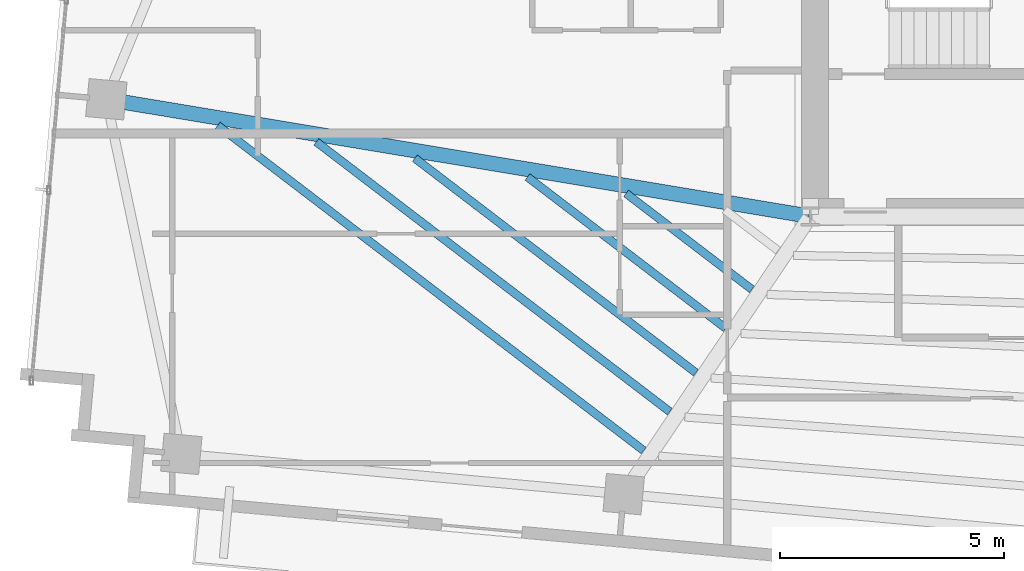
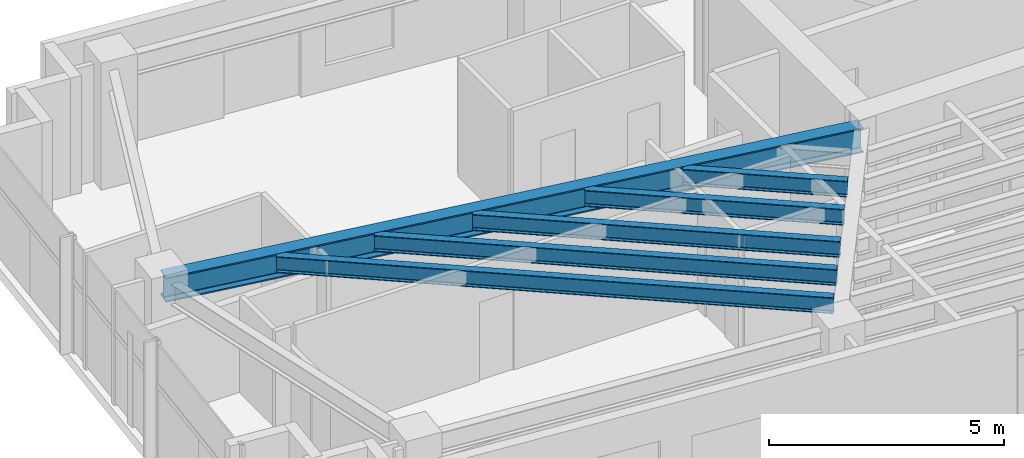
# One storey, part 5 of 22: 6 beams.
"""IFC4 building model written with IfcOpenShell, lengths in metres."""

from ifc_helpers import new_model, si_unit, direction, frame, origin, origin_2d, place, context, subcontext, project, spatial, i_section, extrude, source, transform, mapped, material, material_profile, profile_set, type_object, type_shapes, element, save


model = new_model("IFC4")

# Units and contexts
model_context = context("Model", 3, precision=1e-05, world=origin(), true_north=direction((0.0, 1.0)))
body_context = subcontext(model_context, "Body", "Model", "MODEL_VIEW")
ifc_project = project(units=[si_unit("LENGTHUNIT", "METRE"), si_unit("AREAUNIT", "SQUARE_METRE"), si_unit("VOLUMEUNIT", "CUBIC_METRE"), si_unit("PLANEANGLEUNIT", "RADIAN"), si_unit("MASSUNIT", "GRAM", prefix="KILO")], contexts=[model_context])

# Site, building, storey
site_placement = place(None, origin())
site = spatial("IfcSite", under=ifc_project, at=site_placement, CompositionType="ELEMENT")
building_placement = place(site_placement, origin())
building = spatial("IfcBuilding", under=site, at=building_placement, Name="Astriad Promenade Condominiums", CompositionType="ELEMENT")
storey_placement = place(building_placement, frame((0.0, 0.0, 252.89990234375)))
storey = spatial("IfcBuildingStorey", under=building, at=storey_placement, Name="L73", CompositionType="ELEMENT", Elevation=252.89990234375)

# Beams
ifc_material = material(Name="Steel ASTM A992 Grade 50", Category="steel")
ifc_material_profile_1 = material_profile(ifc_material, i_section(OverallWidth=0.327392578125, OverallDepth=0.640625, WebThickness=0.01904296875, FlangeThickness=0.033935546875, FilletRadius=0.017822265625, at=origin_2d()), Name="W24X176")
ifc_profile_set_1 = profile_set([ifc_material_profile_1], Name="Steel ASTM A992 Grade 50")
beam_type_1 = type_object("IfcBeamType", Name="STEEL FLOOR GIRDER W24X176", PredefinedType="BEAM", material=ifc_profile_set_1)
shared_shape_1 = source(origin(), body_context, "Body", "SweptSolid", [
    extrude(i_section(OverallWidth=0.327392578125, OverallDepth=0.640625, WebThickness=0.01904296875, FlangeThickness=0.033935546875, FilletRadius=0.017822265625, at=origin_2d()), origin(), (0.0, 0.0, 1.0), 15.824462890625),
])
type_shapes(beam_type_1, [shared_shape_1])
beam_1_placement = place(storey_placement, frame((10.750732421875, 20.003662109375, 2.7197265625), z_axis=(0.986439752668, -0.164123777548, 0.0), x_axis=(0.164123777548, 0.986439752668, 0.0)))
element("IfcBeam", 1, at=beam_1_placement, inside=storey, type_object=beam_type_1, Name="Primary Floor Girder PG-WM-L73", PredefinedType="BEAM", context=body_context, shape_type="MappedRepresentation", body=[
    mapped(shared_shape_1, transform((0.0, 0.0, 0.0), scale=1.0)),
])
ifc_material_profile_2 = material_profile(ifc_material, i_section(OverallWidth=0.180908203125, OverallDepth=0.417236328125, WebThickness=0.010986328125, FlangeThickness=0.018310546875, FilletRadius=0.013916015625, at=origin_2d()), Name="W16X57")
ifc_profile_set_2 = profile_set([ifc_material_profile_2], Name="Steel ASTM A992 Grade 50")
beam_type_2 = type_object("IfcBeamType", Name="STEEL FLOOR JOIST W16X57", PredefinedType="JOIST", material=ifc_profile_set_2)
shared_shape_2 = source(origin(), body_context, "Body", "SweptSolid", [
    extrude(i_section(OverallWidth=0.180908203125, OverallDepth=0.417236328125, WebThickness=0.010986328125, FlangeThickness=0.018310546875, FilletRadius=0.013916015625, at=origin_2d()), origin(), (0.0, 0.0, 1.0), 11.941162109375),
])
beam_2_placement = place(storey_placement, frame((13.193603515625, 19.426513671875, 2.831298828125), z_axis=(0.794872876153, -0.606775997182, 0.0), x_axis=(0.606775997182, 0.794872876153, 0.0)))
element("IfcBeam", 2, at=beam_2_placement, inside=storey, type_object=beam_type_2, Name="Secondary Composite Floor Joist JW1-1-L73", PredefinedType="JOIST", context=body_context, shape_type="MappedRepresentation", body=[
    mapped(shared_shape_2, transform((0.0, 0.0, 0.0), scale=1.0)),
])
shared_shape_3 = source(origin(), body_context, "Body", "SweptSolid", [
    extrude(i_section(OverallWidth=0.180908203125, OverallDepth=0.417236328125, WebThickness=0.010986328125, FlangeThickness=0.018310546875, FilletRadius=0.013916015625, at=origin_2d()), origin(), (0.0, 0.0, 1.0), 9.91015625),
])
beam_3_placement = place(storey_placement, frame((15.39013671875, 19.06103515625, 2.831298828125), z_axis=(0.794880580107, -0.606765904916, 0.0), x_axis=(0.606765904916, 0.794880580107, 0.0)))
element("IfcBeam", 3, at=beam_3_placement, inside=storey, type_object=beam_type_2, Name="Secondary Composite Floor Joist JW1-2-L73", PredefinedType="JOIST", context=body_context, shape_type="MappedRepresentation", body=[
    mapped(shared_shape_3, transform((0.0, 0.0, 0.0), scale=1.0)),
])
shared_shape_4 = source(origin(), body_context, "Body", "SweptSolid", [
    extrude(i_section(OverallWidth=0.180908203125, OverallDepth=0.417236328125, WebThickness=0.010986328125, FlangeThickness=0.018310546875, FilletRadius=0.013916015625, at=origin_2d()), origin(), (0.0, 0.0, 1.0), 7.8798828125),
])
beam_4_placement = place(storey_placement, frame((17.58642578125, 18.69580078125, 2.831298828125), z_axis=(0.794873774806, -0.60677481995, 0.0), x_axis=(0.60677481995, 0.794873774806, 0.0)))
element("IfcBeam", 4, at=beam_4_placement, inside=storey, type_object=beam_type_2, Name="Secondary Composite Floor Joist JW1-3-L73", PredefinedType="JOIST", context=body_context, shape_type="MappedRepresentation", body=[
    mapped(shared_shape_4, transform((0.0, 0.0, 0.0), scale=1.0)),
])
shared_shape_5 = source(origin(), body_context, "Body", "SweptSolid", [
    extrude(i_section(OverallWidth=0.180908203125, OverallDepth=0.417236328125, WebThickness=0.010986328125, FlangeThickness=0.018310546875, FilletRadius=0.013916015625, at=origin_2d()), origin(), (0.0, 0.0, 1.0), 5.55908203125),
])
beam_5_placement = place(storey_placement, frame((20.0966796875, 18.278076171875, 2.831298828125), z_axis=(0.794874877878, -0.606773374925, 0.0), x_axis=(0.606773374925, 0.794874877878, 0.0)))
element("IfcBeam", 5, at=beam_5_placement, inside=storey, type_object=beam_type_2, Name="Secondary Composite Floor Joist JW1-4-L73", PredefinedType="JOIST", context=body_context, shape_type="MappedRepresentation", body=[
    mapped(shared_shape_5, transform((0.0, 0.0, 0.0), scale=1.0)),
])
shared_shape_6 = source(origin(), body_context, "Body", "SweptSolid", [
    extrude(i_section(OverallWidth=0.180908203125, OverallDepth=0.417236328125, WebThickness=0.010986328125, FlangeThickness=0.018310546875, FilletRadius=0.013916015625, at=origin_2d()), origin(), (0.0, 0.0, 1.0), 3.5283203125),
])
type_shapes(beam_type_2, [shared_shape_2, shared_shape_3, shared_shape_4, shared_shape_5, shared_shape_6])
beam_6_placement = place(storey_placement, frame((22.293212890625, 17.91259765625, 2.831298828125), z_axis=(0.794864295135, -0.606787238099, 0.0), x_axis=(0.606787238099, 0.794864295135, 0.0)))
element("IfcBeam", 6, at=beam_6_placement, inside=storey, type_object=beam_type_2, Name="Secondary Composite Floor Joist JW1-5-L73", PredefinedType="JOIST", context=body_context, shape_type="MappedRepresentation", body=[
    mapped(shared_shape_6, transform((0.0, 0.0, 0.0), scale=1.0)),
])

save(model, "model.ifc")
